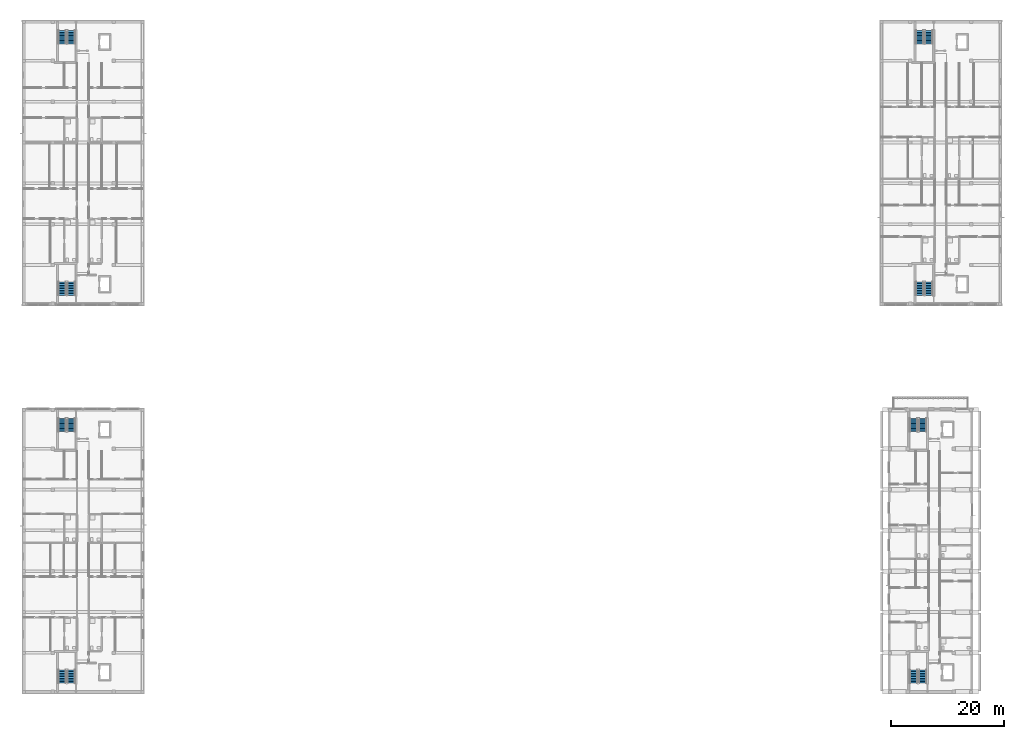
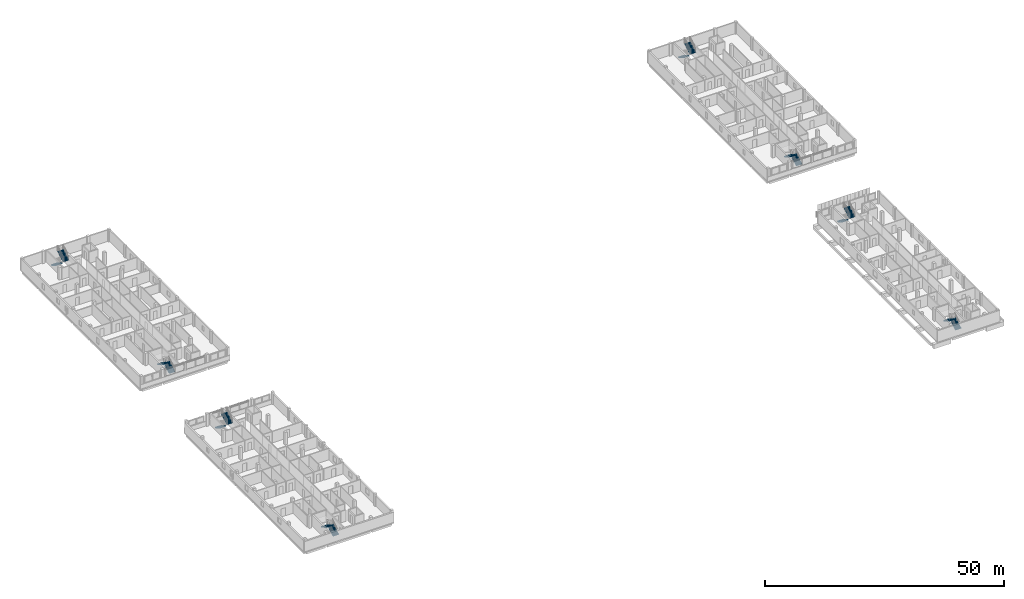
# One storey, part 25 of 38: 16 stair flights, 8 elements without a shape of their own.
"""IFC4 building model written with IfcOpenShell, lengths in metres."""

from ifc_helpers import new_model, si_unit, derived_unit, direction, frame, origin, place, context, subcontext, project, spatial, polyline, outline, extrude, material, type_object, element, aggregate, save


model = new_model("IFC4")

# Units and contexts
model_context = context("Model", 3, precision=1e-05, world=origin(), true_north=direction((0.0, 1.0)))
body_context = subcontext(model_context, "Body", "Model", "MODEL_VIEW")
ifc_project = project(units=[si_unit("LENGTHUNIT", "METRE"), si_unit("AREAUNIT", "SQUARE_METRE"), si_unit("VOLUMEUNIT", "CUBIC_METRE"), si_unit("PLANEANGLEUNIT", "RADIAN"), si_unit("MASSUNIT", "GRAM", prefix="KILO"), derived_unit("THERMALTRANSMITTANCEUNIT", [(si_unit("MASSUNIT", "GRAM", prefix="KILO"), 1), (si_unit("TIMEUNIT", "SECOND"), -3), (si_unit("THERMODYNAMICTEMPERATUREUNIT", "KELVIN"), -1)])], contexts=[model_context])

# Site, building, storey
site_placement = place(None, origin())
site = spatial("IfcSite", under=ifc_project, at=site_placement, CompositionType="ELEMENT")
building_placement = place(site_placement, origin())
building = spatial("IfcBuilding", under=site, at=building_placement, Name="Ochrekiln Boulevard Commons", CompositionType="ELEMENT")
storey_placement = place(building_placement, frame((0.0, 0.0, 24.675048828125)))
storey = spatial("IfcBuildingStorey", under=building, at=storey_placement, Name="L07", CompositionType="ELEMENT", Elevation=24.675048828125)

# Stair, stair flights
ifc_material = material(Name="Concrete C35/45", Category="concrete")
stair_type = type_object("IfcStairType", Name="STR-DL-315", PredefinedType="TWO_STRAIGHT_RUN_STAIR", material=ifc_material)
stair_1_placement = place(storey_placement, origin())
stair_1 = element("IfcStair", 1, at=stair_1_placement, inside=storey, type_object=stair_type, Name="L07 Enclosed Exit Stair ST-A1", PredefinedType="TWO_STRAIGHT_RUN_STAIR")
stair_flight_type = type_object("IfcStairFlightType", Name="SFL-ST-315", PredefinedType="STRAIGHT", material=ifc_material)
stair_flight_1_placement = place(storey_placement, frame((8.699951171875, 70.27001953125, 0.0), z_axis=(0.0, 0.0, 1.0), x_axis=(0.0, 1.0, 0.0)))
stair_flight_1 = element("IfcStairFlight", 2, at=stair_flight_1_placement, type_object=stair_flight_type, Name="ST-A1 flight 1", NumberOfRisers=9, NumberOfTreads=8, PredefinedType="STRAIGHT", RiserHeight=0.175, TreadLength=0.29, context=body_context, shape_type="SweptSolid", body=[
    extrude(outline(polyline([(0.0, 0.0), (0.0, 0.175048828125), (0.2900390625, 0.175048828125), (0.2900390625, 0.35009765625), (0.580078125, 0.35009765625), (0.580078125, 0.52490234375), (0.8701171875, 0.52490234375), (0.8701171875, 0.699951171875), (1.159912109375, 0.699951171875), (1.159912109375, 0.875), (1.449951171875, 0.875), (1.449951171875, 1.050048828125), (1.739990234375, 1.050048828125), (1.739990234375, 1.22509765625), (2.030029296875, 1.22509765625), (2.030029296875, 1.39990234375), (2.320068359375, 1.39990234375), (2.320068359375, 1.574951171875), (2.320068359375, 1.213134765625), (0.3095703125, 0.0), (0.0, 0.0)])), frame((0.0, 0.699951171875, 0.0), z_axis=(0.0, -1.0, 0.0), x_axis=(1.0, 0.0, 0.0)), (0.0, 0.0, 1.0), 1.39990234375),
])
stair_flight_2_placement = place(storey_placement, frame((7.10009765625, 72.590087890625, 1.574951171875), z_axis=(0.0, 0.0, 1.0), x_axis=(0.0, -1.0, 0.0)))
stair_flight_2 = element("IfcStairFlight", 3, at=stair_flight_2_placement, type_object=stair_flight_type, Name="ST-A1 flight 2", NumberOfRisers=9, NumberOfTreads=8, PredefinedType="STRAIGHT", RiserHeight=0.175, TreadLength=0.29, context=body_context, shape_type="SweptSolid", body=[
    extrude(outline(polyline([(0.0, 0.0), (0.0, 0.175048828125), (0.2900390625, 0.175048828125), (0.2900390625, 0.35009765625), (0.580078125, 0.35009765625), (0.580078125, 0.52490234375), (0.8701171875, 0.52490234375), (0.8701171875, 0.699951171875), (1.159912109375, 0.699951171875), (1.159912109375, 0.875), (1.449951171875, 0.875), (1.449951171875, 1.050048828125), (1.739990234375, 1.050048828125), (1.739990234375, 1.22509765625), (2.030029296875, 1.22509765625), (2.030029296875, 1.39990234375), (2.320068359375, 1.39990234375), (2.320068359375, 1.574951171875), (2.320068359375, 1.213134765625), (0.3095703125, 0.0), (0.0, 0.0)])), frame((0.0, 0.699951171875, 0.0), z_axis=(0.0, -1.0, 0.0), x_axis=(1.0, 0.0, 0.0)), (0.0, 0.0, 1.0), 1.39990234375),
])
aggregate(stair_1, [stair_flight_1, stair_flight_2])

stair_2_placement = place(storey_placement, origin())
stair_2 = element("IfcStair", 4, at=stair_2_placement, inside=storey, type_object=stair_type, Name="L07 Enclosed Exit Stair ST-A2", PredefinedType="TWO_STRAIGHT_RUN_STAIR")
stair_flight_3_placement = place(storey_placement, frame((7.10009765625, 116.929931640625, 0.0), z_axis=(0.0, 0.0, 1.0), x_axis=(0.0, -1.0, 0.0)))
stair_flight_3 = element("IfcStairFlight", 5, at=stair_flight_3_placement, type_object=stair_flight_type, Name="ST-A2 flight 1", NumberOfRisers=9, NumberOfTreads=8, PredefinedType="STRAIGHT", RiserHeight=0.175, TreadLength=0.29, context=body_context, shape_type="SweptSolid", body=[
    extrude(outline(polyline([(0.0, 0.0), (0.0, 0.175048828125), (0.2900390625, 0.175048828125), (0.2900390625, 0.35009765625), (0.580078125, 0.35009765625), (0.580078125, 0.52490234375), (0.8701171875, 0.52490234375), (0.8701171875, 0.699951171875), (1.159912109375, 0.699951171875), (1.159912109375, 0.875), (1.449951171875, 0.875), (1.449951171875, 1.050048828125), (1.739990234375, 1.050048828125), (1.739990234375, 1.22509765625), (2.030029296875, 1.22509765625), (2.030029296875, 1.39990234375), (2.320068359375, 1.39990234375), (2.320068359375, 1.574951171875), (2.320068359375, 1.213134765625), (0.3095703125, 0.0), (0.0, 0.0)])), frame((0.0, 0.699951171875, 0.0), z_axis=(0.0, -1.0, 0.0), x_axis=(1.0, 0.0, 0.0)), (0.0, 0.0, 1.0), 1.39990234375),
])
stair_flight_4_placement = place(storey_placement, frame((8.699951171875, 114.610107421875, 1.574951171875), z_axis=(0.0, 0.0, 1.0), x_axis=(0.0, 1.0, 0.0)))
stair_flight_4 = element("IfcStairFlight", 6, at=stair_flight_4_placement, type_object=stair_flight_type, Name="ST-A2 flight 2", NumberOfRisers=9, NumberOfTreads=8, PredefinedType="STRAIGHT", RiserHeight=0.175, TreadLength=0.29, context=body_context, shape_type="SweptSolid", body=[
    extrude(outline(polyline([(0.0, 0.0), (0.0, 0.175048828125), (0.2900390625, 0.175048828125), (0.2900390625, 0.35009765625), (0.580078125, 0.35009765625), (0.580078125, 0.52490234375), (0.8701171875, 0.52490234375), (0.8701171875, 0.699951171875), (1.159912109375, 0.699951171875), (1.159912109375, 0.875), (1.449951171875, 0.875), (1.449951171875, 1.050048828125), (1.739990234375, 1.050048828125), (1.739990234375, 1.22509765625), (2.030029296875, 1.22509765625), (2.030029296875, 1.39990234375), (2.320068359375, 1.39990234375), (2.320068359375, 1.574951171875), (2.320068359375, 1.213134765625), (0.3095703125, 0.0), (0.0, 0.0)])), frame((0.0, 0.699951171875, 0.0), z_axis=(0.0, -1.0, 0.0), x_axis=(1.0, 0.0, 0.0)), (0.0, 0.0, 1.0), 1.39990234375),
])
aggregate(stair_2, [stair_flight_3, stair_flight_4])

stair_3_placement = place(storey_placement, origin())
stair_3 = element("IfcStair", 7, at=stair_3_placement, inside=storey, type_object=stair_type, Name="L07 Enclosed Exit Stair ST-B1", PredefinedType="TWO_STRAIGHT_RUN_STAIR")
stair_flight_5_placement = place(storey_placement, frame((159.89990234375, 70.27001953125, 0.0), z_axis=(0.0, 0.0, 1.0), x_axis=(0.0, 1.0, 0.0)))
stair_flight_5 = element("IfcStairFlight", 8, at=stair_flight_5_placement, type_object=stair_flight_type, Name="ST-B1 flight 1", NumberOfRisers=9, NumberOfTreads=8, PredefinedType="STRAIGHT", RiserHeight=0.175, TreadLength=0.29, context=body_context, shape_type="SweptSolid", body=[
    extrude(outline(polyline([(0.0, 0.0), (0.0, 0.175048828125), (0.2900390625, 0.175048828125), (0.2900390625, 0.35009765625), (0.580078125, 0.35009765625), (0.580078125, 0.52490234375), (0.8701171875, 0.52490234375), (0.8701171875, 0.699951171875), (1.159912109375, 0.699951171875), (1.159912109375, 0.875), (1.449951171875, 0.875), (1.449951171875, 1.050048828125), (1.739990234375, 1.050048828125), (1.739990234375, 1.22509765625), (2.030029296875, 1.22509765625), (2.030029296875, 1.39990234375), (2.320068359375, 1.39990234375), (2.320068359375, 1.574951171875), (2.320068359375, 1.213134765625), (0.3095703125, 0.0), (0.0, 0.0)])), frame((0.0, 0.699951171875, 0.0), z_axis=(0.0, -1.0, 0.0), x_axis=(1.0, 0.0, 0.0)), (0.0, 0.0, 1.0), 1.39990234375),
])
stair_flight_6_placement = place(storey_placement, frame((158.300048828125, 72.590087890625, 1.574951171875), z_axis=(0.0, 0.0, 1.0), x_axis=(0.0, -1.0, 0.0)))
stair_flight_6 = element("IfcStairFlight", 9, at=stair_flight_6_placement, type_object=stair_flight_type, Name="ST-B1 flight 2", NumberOfRisers=9, NumberOfTreads=8, PredefinedType="STRAIGHT", RiserHeight=0.175, TreadLength=0.29, context=body_context, shape_type="SweptSolid", body=[
    extrude(outline(polyline([(0.0, 0.0), (0.0, 0.175048828125), (0.2900390625, 0.175048828125), (0.2900390625, 0.35009765625), (0.580078125, 0.35009765625), (0.580078125, 0.52490234375), (0.8701171875, 0.52490234375), (0.8701171875, 0.699951171875), (1.159912109375, 0.699951171875), (1.159912109375, 0.875), (1.449951171875, 0.875), (1.449951171875, 1.050048828125), (1.739990234375, 1.050048828125), (1.739990234375, 1.22509765625), (2.030029296875, 1.22509765625), (2.030029296875, 1.39990234375), (2.320068359375, 1.39990234375), (2.320068359375, 1.574951171875), (2.320068359375, 1.213134765625), (0.3095703125, 0.0), (0.0, 0.0)])), frame((0.0, 0.699951171875, 0.0), z_axis=(0.0, -1.0, 0.0), x_axis=(1.0, 0.0, 0.0)), (0.0, 0.0, 1.0), 1.39990234375),
])
aggregate(stair_3, [stair_flight_5, stair_flight_6])

stair_4_placement = place(storey_placement, origin())
stair_4 = element("IfcStair", 10, at=stair_4_placement, inside=storey, type_object=stair_type, Name="L07 Enclosed Exit Stair ST-B2", PredefinedType="TWO_STRAIGHT_RUN_STAIR")
stair_flight_7_placement = place(storey_placement, frame((158.300048828125, 116.929931640625, 0.0), z_axis=(0.0, 0.0, 1.0), x_axis=(0.0, -1.0, 0.0)))
stair_flight_7 = element("IfcStairFlight", 11, at=stair_flight_7_placement, type_object=stair_flight_type, Name="ST-B2 flight 1", NumberOfRisers=9, NumberOfTreads=8, PredefinedType="STRAIGHT", RiserHeight=0.175, TreadLength=0.29, context=body_context, shape_type="SweptSolid", body=[
    extrude(outline(polyline([(0.0, 0.0), (0.0, 0.175048828125), (0.2900390625, 0.175048828125), (0.2900390625, 0.35009765625), (0.580078125, 0.35009765625), (0.580078125, 0.52490234375), (0.8701171875, 0.52490234375), (0.8701171875, 0.699951171875), (1.159912109375, 0.699951171875), (1.159912109375, 0.875), (1.449951171875, 0.875), (1.449951171875, 1.050048828125), (1.739990234375, 1.050048828125), (1.739990234375, 1.22509765625), (2.030029296875, 1.22509765625), (2.030029296875, 1.39990234375), (2.320068359375, 1.39990234375), (2.320068359375, 1.574951171875), (2.320068359375, 1.213134765625), (0.3095703125, 0.0), (0.0, 0.0)])), frame((0.0, 0.699951171875, 0.0), z_axis=(0.0, -1.0, 0.0), x_axis=(1.0, 0.0, 0.0)), (0.0, 0.0, 1.0), 1.39990234375),
])
stair_flight_8_placement = place(storey_placement, frame((159.89990234375, 114.610107421875, 1.574951171875), z_axis=(0.0, 0.0, 1.0), x_axis=(0.0, 1.0, 0.0)))
stair_flight_8 = element("IfcStairFlight", 12, at=stair_flight_8_placement, type_object=stair_flight_type, Name="ST-B2 flight 2", NumberOfRisers=9, NumberOfTreads=8, PredefinedType="STRAIGHT", RiserHeight=0.175, TreadLength=0.29, context=body_context, shape_type="SweptSolid", body=[
    extrude(outline(polyline([(0.0, 0.0), (0.0, 0.175048828125), (0.2900390625, 0.175048828125), (0.2900390625, 0.35009765625), (0.580078125, 0.35009765625), (0.580078125, 0.52490234375), (0.8701171875, 0.52490234375), (0.8701171875, 0.699951171875), (1.159912109375, 0.699951171875), (1.159912109375, 0.875), (1.449951171875, 0.875), (1.449951171875, 1.050048828125), (1.739990234375, 1.050048828125), (1.739990234375, 1.22509765625), (2.030029296875, 1.22509765625), (2.030029296875, 1.39990234375), (2.320068359375, 1.39990234375), (2.320068359375, 1.574951171875), (2.320068359375, 1.213134765625), (0.3095703125, 0.0), (0.0, 0.0)])), frame((0.0, 0.699951171875, 0.0), z_axis=(0.0, -1.0, 0.0), x_axis=(1.0, 0.0, 0.0)), (0.0, 0.0, 1.0), 1.39990234375),
])
aggregate(stair_4, [stair_flight_7, stair_flight_8])

stair_5_placement = place(storey_placement, origin())
stair_5 = element("IfcStair", 13, at=stair_5_placement, inside=storey, type_object=stair_type, Name="L07 Enclosed Exit Stair ST-C1", PredefinedType="TWO_STRAIGHT_RUN_STAIR")
stair_flight_9_placement = place(storey_placement, frame((158.800048828125, 1.8701171875, 0.0), z_axis=(0.0, 0.0, 1.0), x_axis=(0.0, 1.0, 0.0)))
stair_flight_9 = element("IfcStairFlight", 14, at=stair_flight_9_placement, type_object=stair_flight_type, Name="ST-C1 flight 1", NumberOfRisers=9, NumberOfTreads=8, PredefinedType="STRAIGHT", RiserHeight=0.175, TreadLength=0.29, context=body_context, shape_type="SweptSolid", body=[
    extrude(outline(polyline([(0.0, 0.0), (0.0, 0.175048828125), (0.2900390625, 0.175048828125), (0.2900390625, 0.35009765625), (0.580078125, 0.35009765625), (0.580078125, 0.52490234375), (0.8701171875, 0.52490234375), (0.8701171875, 0.699951171875), (1.159912109375, 0.699951171875), (1.159912109375, 0.875), (1.449951171875, 0.875), (1.449951171875, 1.050048828125), (1.739990234375, 1.050048828125), (1.739990234375, 1.22509765625), (2.030029296875, 1.22509765625), (2.030029296875, 1.39990234375), (2.320068359375, 1.39990234375), (2.320068359375, 1.574951171875), (2.320068359375, 1.213134765625), (0.3095703125, 0.0), (0.0, 0.0)])), frame((0.0, 0.699951171875, 0.0), z_axis=(0.0, -1.0, 0.0), x_axis=(1.0, 0.0, 0.0)), (0.0, 0.0, 1.0), 1.39990234375),
])
stair_flight_10_placement = place(storey_placement, frame((157.199951171875, 4.18994140625, 1.574951171875), z_axis=(0.0, 0.0, 1.0), x_axis=(0.0, -1.0, 0.0)))
stair_flight_10 = element("IfcStairFlight", 15, at=stair_flight_10_placement, type_object=stair_flight_type, Name="ST-C1 flight 2", NumberOfRisers=9, NumberOfTreads=8, PredefinedType="STRAIGHT", RiserHeight=0.175, TreadLength=0.29, context=body_context, shape_type="SweptSolid", body=[
    extrude(outline(polyline([(0.0, 0.0), (0.0, 0.175048828125), (0.2900390625, 0.175048828125), (0.2900390625, 0.35009765625), (0.580078125, 0.35009765625), (0.580078125, 0.52490234375), (0.8701171875, 0.52490234375), (0.8701171875, 0.699951171875), (1.159912109375, 0.699951171875), (1.159912109375, 0.875), (1.449951171875, 0.875), (1.449951171875, 1.050048828125), (1.739990234375, 1.050048828125), (1.739990234375, 1.22509765625), (2.030029296875, 1.22509765625), (2.030029296875, 1.39990234375), (2.320068359375, 1.39990234375), (2.320068359375, 1.574951171875), (2.320068359375, 1.213134765625), (0.3095703125, 0.0), (0.0, 0.0)])), frame((0.0, 0.699951171875, 0.0), z_axis=(0.0, -1.0, 0.0), x_axis=(1.0, 0.0, 0.0)), (0.0, 0.0, 1.0), 1.39990234375),
])
aggregate(stair_5, [stair_flight_9, stair_flight_10])

stair_6_placement = place(storey_placement, origin())
stair_6 = element("IfcStair", 16, at=stair_6_placement, inside=storey, type_object=stair_type, Name="L07 Enclosed Exit Stair ST-C2", PredefinedType="TWO_STRAIGHT_RUN_STAIR")
stair_flight_11_placement = place(storey_placement, frame((157.199951171875, 48.530029296875, 0.0), z_axis=(0.0, 0.0, 1.0), x_axis=(0.0, -1.0, 0.0)))
stair_flight_11 = element("IfcStairFlight", 17, at=stair_flight_11_placement, type_object=stair_flight_type, Name="ST-C2 flight 1", NumberOfRisers=9, NumberOfTreads=8, PredefinedType="STRAIGHT", RiserHeight=0.175, TreadLength=0.29, context=body_context, shape_type="SweptSolid", body=[
    extrude(outline(polyline([(0.0, 0.0), (0.0, 0.175048828125), (0.2900390625, 0.175048828125), (0.2900390625, 0.35009765625), (0.580078125, 0.35009765625), (0.580078125, 0.52490234375), (0.8701171875, 0.52490234375), (0.8701171875, 0.699951171875), (1.159912109375, 0.699951171875), (1.159912109375, 0.875), (1.449951171875, 0.875), (1.449951171875, 1.050048828125), (1.739990234375, 1.050048828125), (1.739990234375, 1.22509765625), (2.030029296875, 1.22509765625), (2.030029296875, 1.39990234375), (2.320068359375, 1.39990234375), (2.320068359375, 1.574951171875), (2.320068359375, 1.213134765625), (0.3095703125, 0.0), (0.0, 0.0)])), frame((0.0, 0.699951171875, 0.0), z_axis=(0.0, -1.0, 0.0), x_axis=(1.0, 0.0, 0.0)), (0.0, 0.0, 1.0), 1.39990234375),
])
stair_flight_12_placement = place(storey_placement, frame((158.800048828125, 46.2099609375, 1.574951171875), z_axis=(0.0, 0.0, 1.0), x_axis=(0.0, 1.0, 0.0)))
stair_flight_12 = element("IfcStairFlight", 18, at=stair_flight_12_placement, type_object=stair_flight_type, Name="ST-C2 flight 2", NumberOfRisers=9, NumberOfTreads=8, PredefinedType="STRAIGHT", RiserHeight=0.175, TreadLength=0.29, context=body_context, shape_type="SweptSolid", body=[
    extrude(outline(polyline([(0.0, 0.0), (0.0, 0.175048828125), (0.2900390625, 0.175048828125), (0.2900390625, 0.35009765625), (0.580078125, 0.35009765625), (0.580078125, 0.52490234375), (0.8701171875, 0.52490234375), (0.8701171875, 0.699951171875), (1.159912109375, 0.699951171875), (1.159912109375, 0.875), (1.449951171875, 0.875), (1.449951171875, 1.050048828125), (1.739990234375, 1.050048828125), (1.739990234375, 1.22509765625), (2.030029296875, 1.22509765625), (2.030029296875, 1.39990234375), (2.320068359375, 1.39990234375), (2.320068359375, 1.574951171875), (2.320068359375, 1.213134765625), (0.3095703125, 0.0), (0.0, 0.0)])), frame((0.0, 0.699951171875, 0.0), z_axis=(0.0, -1.0, 0.0), x_axis=(1.0, 0.0, 0.0)), (0.0, 0.0, 1.0), 1.39990234375),
])
aggregate(stair_6, [stair_flight_11, stair_flight_12])

stair_7_placement = place(storey_placement, origin())
stair_7 = element("IfcStair", 19, at=stair_7_placement, inside=storey, type_object=stair_type, Name="L07 Enclosed Exit Stair ST-D1", PredefinedType="TWO_STRAIGHT_RUN_STAIR")
stair_flight_13_placement = place(storey_placement, frame((8.699951171875, 1.8701171875, 0.0), z_axis=(0.0, 0.0, 1.0), x_axis=(0.0, 1.0, 0.0)))
stair_flight_13 = element("IfcStairFlight", 20, at=stair_flight_13_placement, type_object=stair_flight_type, Name="ST-D1 flight 1", NumberOfRisers=9, NumberOfTreads=8, PredefinedType="STRAIGHT", RiserHeight=0.175, TreadLength=0.29, context=body_context, shape_type="SweptSolid", body=[
    extrude(outline(polyline([(0.0, 0.0), (0.0, 0.175048828125), (0.2900390625, 0.175048828125), (0.2900390625, 0.35009765625), (0.580078125, 0.35009765625), (0.580078125, 0.52490234375), (0.8701171875, 0.52490234375), (0.8701171875, 0.699951171875), (1.159912109375, 0.699951171875), (1.159912109375, 0.875), (1.449951171875, 0.875), (1.449951171875, 1.050048828125), (1.739990234375, 1.050048828125), (1.739990234375, 1.22509765625), (2.030029296875, 1.22509765625), (2.030029296875, 1.39990234375), (2.320068359375, 1.39990234375), (2.320068359375, 1.574951171875), (2.320068359375, 1.213134765625), (0.3095703125, 0.0), (0.0, 0.0)])), frame((0.0, 0.699951171875, 0.0), z_axis=(0.0, -1.0, 0.0), x_axis=(1.0, 0.0, 0.0)), (0.0, 0.0, 1.0), 1.39990234375),
])
stair_flight_14_placement = place(storey_placement, frame((7.10009765625, 4.18994140625, 1.574951171875), z_axis=(0.0, 0.0, 1.0), x_axis=(0.0, -1.0, 0.0)))
stair_flight_14 = element("IfcStairFlight", 21, at=stair_flight_14_placement, type_object=stair_flight_type, Name="ST-D1 flight 2", NumberOfRisers=9, NumberOfTreads=8, PredefinedType="STRAIGHT", RiserHeight=0.175, TreadLength=0.29, context=body_context, shape_type="SweptSolid", body=[
    extrude(outline(polyline([(0.0, 0.0), (0.0, 0.175048828125), (0.2900390625, 0.175048828125), (0.2900390625, 0.35009765625), (0.580078125, 0.35009765625), (0.580078125, 0.52490234375), (0.8701171875, 0.52490234375), (0.8701171875, 0.699951171875), (1.159912109375, 0.699951171875), (1.159912109375, 0.875), (1.449951171875, 0.875), (1.449951171875, 1.050048828125), (1.739990234375, 1.050048828125), (1.739990234375, 1.22509765625), (2.030029296875, 1.22509765625), (2.030029296875, 1.39990234375), (2.320068359375, 1.39990234375), (2.320068359375, 1.574951171875), (2.320068359375, 1.213134765625), (0.3095703125, 0.0), (0.0, 0.0)])), frame((0.0, 0.699951171875, 0.0), z_axis=(0.0, -1.0, 0.0), x_axis=(1.0, 0.0, 0.0)), (0.0, 0.0, 1.0), 1.39990234375),
])
aggregate(stair_7, [stair_flight_13, stair_flight_14])

stair_8_placement = place(storey_placement, origin())
stair_8 = element("IfcStair", 22, at=stair_8_placement, inside=storey, type_object=stair_type, Name="L07 Enclosed Exit Stair ST-D2", PredefinedType="TWO_STRAIGHT_RUN_STAIR")
stair_flight_15_placement = place(storey_placement, frame((7.10009765625, 48.530029296875, 0.0), z_axis=(0.0, 0.0, 1.0), x_axis=(0.0, -1.0, 0.0)))
stair_flight_15 = element("IfcStairFlight", 23, at=stair_flight_15_placement, type_object=stair_flight_type, Name="ST-D2 flight 1", NumberOfRisers=9, NumberOfTreads=8, PredefinedType="STRAIGHT", RiserHeight=0.175, TreadLength=0.29, context=body_context, shape_type="SweptSolid", body=[
    extrude(outline(polyline([(0.0, 0.0), (0.0, 0.175048828125), (0.2900390625, 0.175048828125), (0.2900390625, 0.35009765625), (0.580078125, 0.35009765625), (0.580078125, 0.52490234375), (0.8701171875, 0.52490234375), (0.8701171875, 0.699951171875), (1.159912109375, 0.699951171875), (1.159912109375, 0.875), (1.449951171875, 0.875), (1.449951171875, 1.050048828125), (1.739990234375, 1.050048828125), (1.739990234375, 1.22509765625), (2.030029296875, 1.22509765625), (2.030029296875, 1.39990234375), (2.320068359375, 1.39990234375), (2.320068359375, 1.574951171875), (2.320068359375, 1.213134765625), (0.3095703125, 0.0), (0.0, 0.0)])), frame((0.0, 0.699951171875, 0.0), z_axis=(0.0, -1.0, 0.0), x_axis=(1.0, 0.0, 0.0)), (0.0, 0.0, 1.0), 1.39990234375),
])
stair_flight_16_placement = place(storey_placement, frame((8.699951171875, 46.2099609375, 1.574951171875), z_axis=(0.0, 0.0, 1.0), x_axis=(0.0, 1.0, 0.0)))
stair_flight_16 = element("IfcStairFlight", 24, at=stair_flight_16_placement, type_object=stair_flight_type, Name="ST-D2 flight 2", NumberOfRisers=9, NumberOfTreads=8, PredefinedType="STRAIGHT", RiserHeight=0.175, TreadLength=0.29, context=body_context, shape_type="SweptSolid", body=[
    extrude(outline(polyline([(0.0, 0.0), (0.0, 0.175048828125), (0.2900390625, 0.175048828125), (0.2900390625, 0.35009765625), (0.580078125, 0.35009765625), (0.580078125, 0.52490234375), (0.8701171875, 0.52490234375), (0.8701171875, 0.699951171875), (1.159912109375, 0.699951171875), (1.159912109375, 0.875), (1.449951171875, 0.875), (1.449951171875, 1.050048828125), (1.739990234375, 1.050048828125), (1.739990234375, 1.22509765625), (2.030029296875, 1.22509765625), (2.030029296875, 1.39990234375), (2.320068359375, 1.39990234375), (2.320068359375, 1.574951171875), (2.320068359375, 1.213134765625), (0.3095703125, 0.0), (0.0, 0.0)])), frame((0.0, 0.699951171875, 0.0), z_axis=(0.0, -1.0, 0.0), x_axis=(1.0, 0.0, 0.0)), (0.0, 0.0, 1.0), 1.39990234375),
])
aggregate(stair_8, [stair_flight_15, stair_flight_16])

save(model, "model.ifc")
